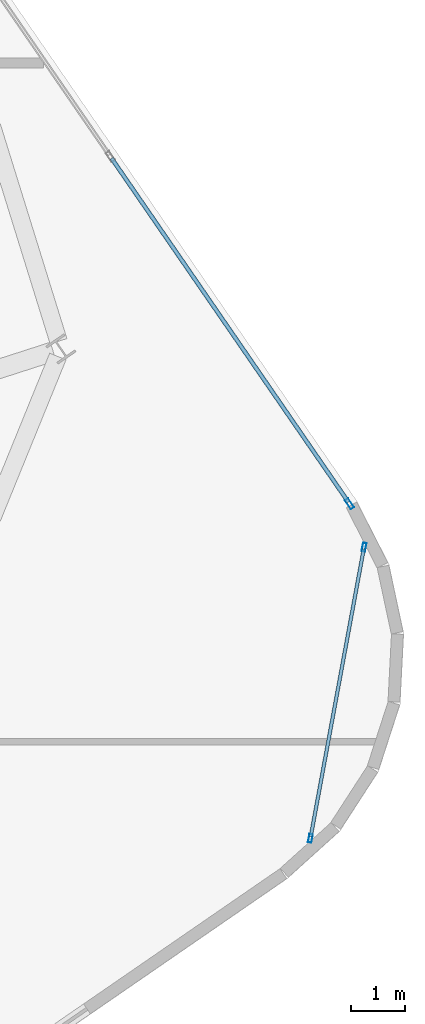
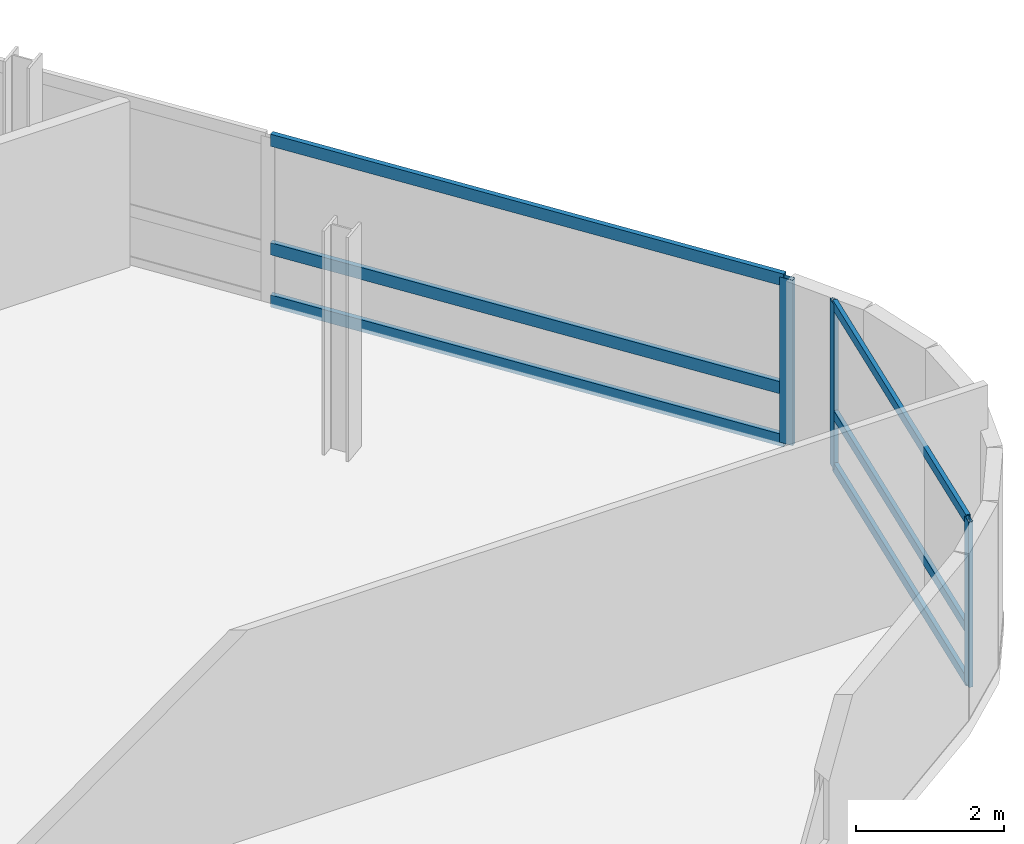
# One storey, part 12 of 23: 9 members, 2 elements without a shape of their own.
"""IFC4 building model written with IfcOpenShell, lengths in metres."""

from ifc_helpers import new_model, si_unit, direction, frame, origin, origin_2d, place, context, subcontext, project, spatial, hollow_rectangle, extrude, material, layer, layer_set, material_profile, profile_set, type_object, element, aggregate, save


model = new_model("IFC4")

# Units and contexts
model_context = context("Model", 3, precision=1e-05, world=origin(), true_north=direction((0.0, 1.0)))
body_context = subcontext(model_context, "Body", "Model", "MODEL_VIEW")
ifc_project = project(units=[si_unit("LENGTHUNIT", "METRE"), si_unit("AREAUNIT", "SQUARE_METRE"), si_unit("VOLUMEUNIT", "CUBIC_METRE"), si_unit("PLANEANGLEUNIT", "RADIAN"), si_unit("MASSUNIT", "GRAM", prefix="KILO")], contexts=[model_context])

# Site, building, storey
site_placement = place(None, origin())
site = spatial("IfcSite", under=ifc_project, at=site_placement, CompositionType="ELEMENT")
building_placement = place(site_placement, origin())
building = spatial("IfcBuilding", under=site, at=building_placement, Name="Varnelok Gate Tower", CompositionType="ELEMENT")
storey_placement = place(building_placement, frame((0.0, 0.0, 273.0)))
storey = spatial("IfcBuildingStorey", under=building, at=storey_placement, Name="L70", CompositionType="ELEMENT", Elevation=273.0)

# Curtain wall, members
ifc_material = material(Name="Anodized Aluminum Alloy 6063-T6", Category="aluminium")
ifc_layer_1 = layer(ifc_material, 0.179931640625)
ifc_layer_set_1 = layer_set([ifc_layer_1], Name="Anodized Aluminum Alloy 6063-T6")
curtain_wall_type_1 = type_object("IfcCurtainWallType", Name="CW5-WINDCORNER-GLAZ", PredefinedType="USERDEFINED", material=ifc_layer_set_1)
curtain_wall_1_placement = place(storey_placement, origin())
curtain_wall_1 = element("IfcCurtainWall", 1, at=curtain_wall_1_placement, inside=storey, type_object=curtain_wall_type_1, Name="L70 Wind-Shaped Corner Curtain Wall SE", ObjectType="STRUCTURAL GLAZING", PredefinedType="USERDEFINED")
ifc_material_profile_1 = material_profile(ifc_material, hollow_rectangle(XDim=0.06494140625, YDim=0.159912109375, WallThickness=0.00390625, at=origin_2d()), Name="ALU160X65X4")
ifc_profile_set_1 = profile_set([ifc_material_profile_1], Name="Anodized Aluminum Alloy 6063-T6")
member_type_1 = type_object("IfcMemberType", Name="CW-MULL-160", PredefinedType="MULLION", material=ifc_profile_set_1)
member_1_placement = place(storey_placement, frame((74.451904296875, 25.021240234375, 0.0), z_axis=(0.0, 0.0, 1.0), x_axis=(-0.983445962106, 0.181201654564, 0.0)))
member_1 = element("IfcMember", 2, at=member_1_placement, type_object=member_type_1, Name="CW5 mullion 1", PredefinedType="MULLION", context=body_context, shape_type="SweptSolid", body=[
    extrude(hollow_rectangle(XDim=0.06494140625, YDim=0.159912109375, WallThickness=0.00390625, at=origin_2d()), origin(), (0.0, 0.0, 1.0), 2.72998046875),
])
member_2_placement = place(storey_placement, frame((75.439697265625, 30.38134765625, 0.0), z_axis=(0.0, 0.0, 1.0), x_axis=(-0.983445962106, 0.181201654564, 0.0)))
member_2 = element("IfcMember", 3, at=member_2_placement, type_object=member_type_1, Name="CW5 mullion 2", PredefinedType="MULLION", context=body_context, shape_type="SweptSolid", body=[
    extrude(hollow_rectangle(XDim=0.06494140625, YDim=0.159912109375, WallThickness=0.00390625, at=origin_2d()), origin(), (0.0, 0.0, 1.0), 2.72998046875),
])

# Curtain wall, member
ifc_layer_2 = layer(ifc_material, 0.179931640625)
ifc_layer_set_2 = layer_set([ifc_layer_2], Name="Anodized Aluminum Alloy 6063-T6")
curtain_wall_type_2 = type_object("IfcCurtainWallType", Name="CW4-RESIDENCE-VISION", PredefinedType="USERDEFINED", material=ifc_layer_set_2)
curtain_wall_2_placement = place(storey_placement, origin())
curtain_wall_2 = element("IfcCurtainWall", 4, at=curtain_wall_2_placement, inside=storey, type_object=curtain_wall_type_2, Name="L70 East End Vision Curtain Wall", ObjectType="UNITISED CURTAIN WALL", PredefinedType="USERDEFINED")
ifc_material_profile_2 = material_profile(ifc_material, hollow_rectangle(XDim=0.074951171875, YDim=0.199951171875, WallThickness=0.00390625, at=origin_2d()), Name="ALU200X75X4")
ifc_profile_set_2 = profile_set([ifc_material_profile_2], Name="Anodized Aluminum Alloy 6063-T6")
member_type_2 = type_object("IfcMemberType", Name="CW-MULL-200", PredefinedType="MULLION", material=ifc_profile_set_2)
member_3_placement = place(storey_placement, frame((75.171630859375, 31.180908203125, 0.0), z_axis=(0.0, 0.0, 1.0), x_axis=(0.823532290241, 0.567269395376, 0.0)))
member_3 = element("IfcMember", 5, at=member_3_placement, type_object=member_type_2, Name="CW4 mullion 5", PredefinedType="MULLION", context=body_context, shape_type="SweptSolid", body=[
    extrude(hollow_rectangle(XDim=0.074951171875, YDim=0.199951171875, WallThickness=0.00390625, at=origin_2d()), origin(), (0.0, 0.0, 1.0), 2.72998046875),
])

# Member
ifc_material_profile_3 = material_profile(ifc_material, hollow_rectangle(XDim=0.06494140625, YDim=0.159912109375, WallThickness=0.00390625, at=origin_2d()), Name="ALU160X65X4")
ifc_profile_set_3 = profile_set([ifc_material_profile_3], Name="Anodized Aluminum Alloy 6063-T6")
member_type_3 = type_object("IfcMemberType", Name="CW-TRAN-160", PredefinedType="USERDEFINED", material=ifc_profile_set_3)
member_4_placement = place(storey_placement, frame((74.457763671875, 25.05322265625, 0.032470703125), z_axis=(0.181246660184, 0.983437668677, 0.0), x_axis=(-0.983437668677, 0.181246660184, 0.0)))
member_4 = element("IfcMember", 6, at=member_4_placement, type_object=member_type_3, Name="CW5 transom 1.1", ObjectType="TRANSOM", PredefinedType="USERDEFINED", context=body_context, shape_type="SweptSolid", body=[
    extrude(hollow_rectangle(XDim=0.06494140625, YDim=0.159912109375, WallThickness=0.00390625, at=origin_2d()), origin(), (0.0, 0.0, 1.0), 5.38525390625),
])

member_5_placement = place(storey_placement, frame((74.457763671875, 25.05322265625, 0.89990234375), z_axis=(0.181246660184, 0.983437668677, 0.0), x_axis=(-0.983437668677, 0.181246660184, 0.0)))
member_5 = element("IfcMember", 7, at=member_5_placement, type_object=member_type_3, Name="CW5 transom 1.2", ObjectType="TRANSOM", PredefinedType="USERDEFINED", context=body_context, shape_type="SweptSolid", body=[
    extrude(hollow_rectangle(XDim=0.06494140625, YDim=0.159912109375, WallThickness=0.00390625, at=origin_2d()), origin(), (0.0, 0.0, 1.0), 5.38525390625),
])

member_6_placement = place(storey_placement, frame((74.457763671875, 25.05322265625, 2.697509765625), z_axis=(0.181246660184, 0.983437668677, 0.0), x_axis=(-0.983437668677, 0.181246660184, 0.0)))
member_6 = element("IfcMember", 8, at=member_6_placement, type_object=member_type_3, Name="CW5 transom 1.3", ObjectType="TRANSOM", PredefinedType="USERDEFINED", context=body_context, shape_type="SweptSolid", body=[
    extrude(hollow_rectangle(XDim=0.06494140625, YDim=0.159912109375, WallThickness=0.00390625, at=origin_2d()), origin(), (0.0, 0.0, 1.0), 5.38525390625),
])

aggregate(curtain_wall_1, [member_1, member_2, member_4, member_5, member_6])

ifc_material_profile_4 = material_profile(ifc_material, hollow_rectangle(XDim=0.074951171875, YDim=0.199951171875, WallThickness=0.00390625, at=origin_2d()), Name="ALU200X75X4")
ifc_profile_set_4 = profile_set([ifc_material_profile_4], Name="Anodized Aluminum Alloy 6063-T6")
member_type_4 = type_object("IfcMemberType", Name="CW-TRAN-200", PredefinedType="USERDEFINED", material=ifc_profile_set_4)
member_7_placement = place(storey_placement, frame((70.78955078125, 37.542724609375, 0.03759765625), z_axis=(0.567271254331, -0.823531009744, 0.0), x_axis=(0.823531009744, 0.567271254331, 0.0)))
member_7 = element("IfcMember", 9, at=member_7_placement, type_object=member_type_4, Name="CW4 transom 4.1", ObjectType="TRANSOM", PredefinedType="USERDEFINED", context=body_context, shape_type="SweptSolid", body=[
    extrude(hollow_rectangle(XDim=0.074951171875, YDim=0.199951171875, WallThickness=0.00390625, at=origin_2d()), origin(), (0.0, 0.0, 1.0), 7.6875),
])

member_8_placement = place(storey_placement, frame((70.78955078125, 37.542724609375, 0.89990234375), z_axis=(0.567271254331, -0.823531009744, 0.0), x_axis=(0.823531009744, 0.567271254331, 0.0)))
member_8 = element("IfcMember", 10, at=member_8_placement, type_object=member_type_4, Name="CW4 transom 4.2", ObjectType="TRANSOM", PredefinedType="USERDEFINED", context=body_context, shape_type="SweptSolid", body=[
    extrude(hollow_rectangle(XDim=0.074951171875, YDim=0.199951171875, WallThickness=0.00390625, at=origin_2d()), origin(), (0.0, 0.0, 1.0), 7.6875),
])

member_9_placement = place(storey_placement, frame((70.78955078125, 37.542724609375, 2.6923828125), z_axis=(0.567271254331, -0.823531009744, 0.0), x_axis=(0.823531009744, 0.567271254331, 0.0)))
member_9 = element("IfcMember", 11, at=member_9_placement, type_object=member_type_4, Name="CW4 transom 4.3", ObjectType="TRANSOM", PredefinedType="USERDEFINED", context=body_context, shape_type="SweptSolid", body=[
    extrude(hollow_rectangle(XDim=0.074951171875, YDim=0.199951171875, WallThickness=0.00390625, at=origin_2d()), origin(), (0.0, 0.0, 1.0), 7.6875),
])

aggregate(curtain_wall_2, [member_3, member_7, member_8, member_9])

save(model, "model.ifc")
